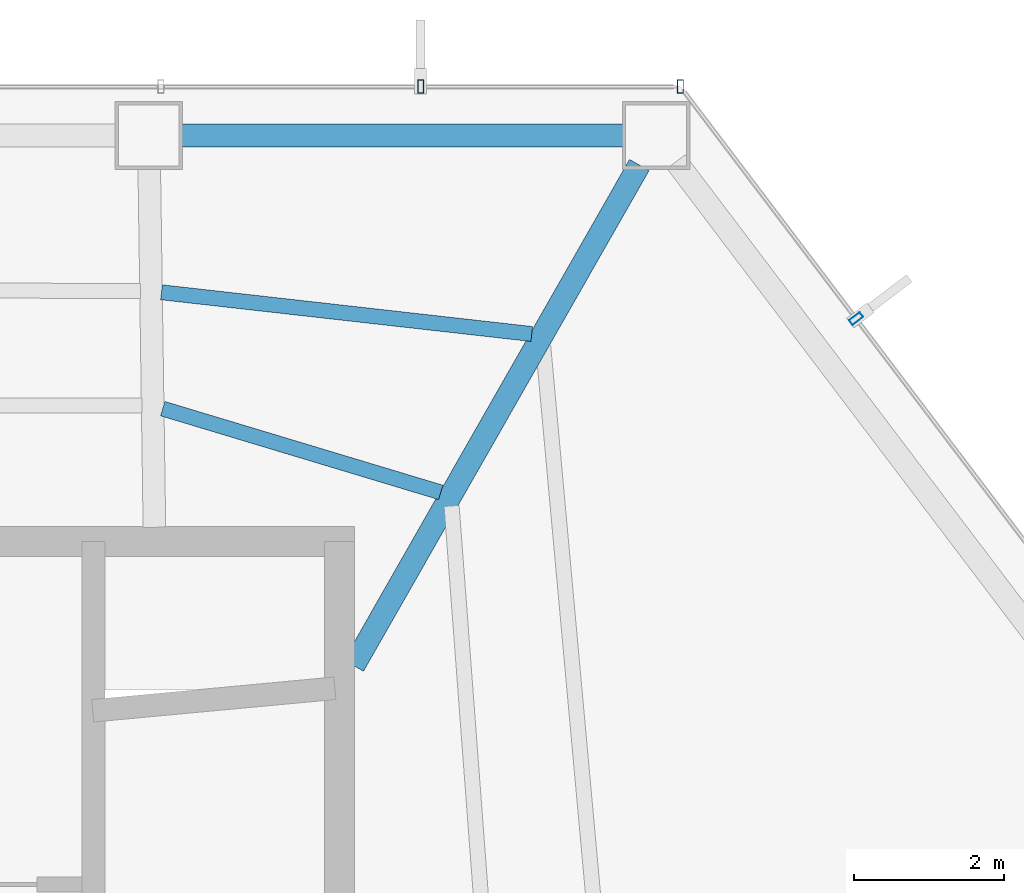
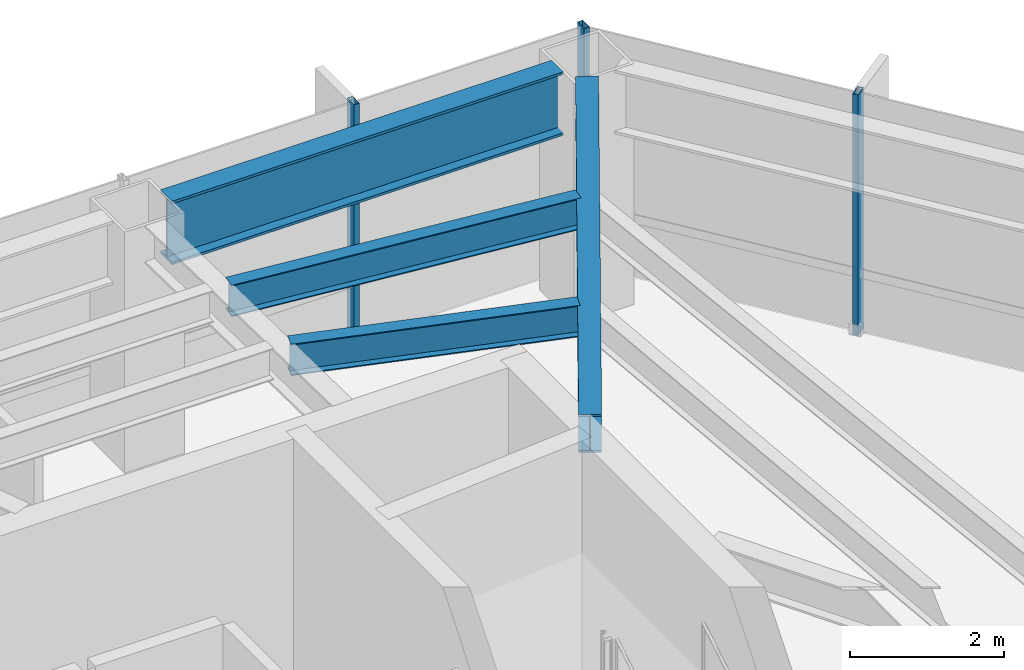
# One storey, part 18 of 24: 4 beams, 3 members, 2 elements without a shape of their own.
"""IFC4 building model written with IfcOpenShell, lengths in metres."""

from ifc_helpers import new_model, si_unit, direction, frame, origin, origin_2d, place, context, subcontext, project, spatial, hollow_rectangle, i_section, extrude, material, layer, layer_set, material_profile, profile_set, type_object, element, aggregate, save


model = new_model("IFC4")

# Units and contexts
model_context = context("Model", 3, precision=1e-05, world=origin(), true_north=direction((0.0, 1.0)))
body_context = subcontext(model_context, "Body", "Model", "MODEL_VIEW")
ifc_project = project(units=[si_unit("LENGTHUNIT", "METRE"), si_unit("AREAUNIT", "SQUARE_METRE"), si_unit("VOLUMEUNIT", "CUBIC_METRE"), si_unit("PLANEANGLEUNIT", "RADIAN"), si_unit("MASSUNIT", "GRAM", prefix="KILO")], contexts=[model_context])

# Site, building, storey
site_placement = place(None, origin())
site = spatial("IfcSite", under=ifc_project, at=site_placement, CompositionType="ELEMENT")
building_placement = place(site_placement, origin())
building = spatial("IfcBuilding", under=site, at=building_placement, Name="Zarrinselat Tower", CompositionType="ELEMENT")
storey_placement = place(building_placement, frame((0.0, 0.0, 100.97998046875)))
storey = spatial("IfcBuildingStorey", under=building, at=storey_placement, Name="L24", CompositionType="ELEMENT", Elevation=100.97998046875)

# Beams
ifc_material_1 = material(Name="Steel S355J2", Category="steel")
ifc_material_profile_1 = material_profile(ifc_material_1, i_section(OverallWidth=0.300048828125, OverallDepth=0.60009765625, WebThickness=0.015380859375, FlangeThickness=0.030029296875, at=origin_2d()), Name="HEB 600")
ifc_profile_set_1 = profile_set([ifc_material_profile_1], Name="Steel S355J2")
beam_type_1 = type_object("IfcBeamType", Name="BM-HEB600", PredefinedType="BEAM", material=ifc_profile_set_1)
beam_1_placement = place(storey_placement, frame((48.449951171875, 41.800048828125, 3.52001953125), z_axis=(0.495483591923, 0.868617297856, 0.0), x_axis=(-0.868617297856, 0.495483591923, 0.0)))
element("IfcBeam", 1, at=beam_1_placement, inside=storey, type_object=beam_type_1, Name="L24 Radial Primary Girder RG01", PredefinedType="BEAM", context=body_context, shape_type="SweptSolid", body=[
    extrude(i_section(OverallWidth=0.300048828125, OverallDepth=0.60009765625, WebThickness=0.015380859375, FlangeThickness=0.030029296875, at=origin_2d()), origin(), (0.0, 0.0, 1.0), 7.66455078125),
])
ifc_material_2 = material(Name="Steel S460M", Category="steel")
ifc_material_profile_2 = material_profile(ifc_material_2, i_section(OverallWidth=0.302001953125, OverallDepth=1.008056640625, WebThickness=0.02099609375, FlangeThickness=0.0400390625, at=origin_2d()), Name="HEM 1000")
ifc_profile_set_2 = profile_set([ifc_material_profile_2], Name="Steel S460M")
beam_type_2 = type_object("IfcBeamType", Name="BM-HEM1000", PredefinedType="BEAM", material=ifc_profile_set_2)
beam_2_placement = place(storey_placement, frame((46.163330078125, 48.85009765625, 3.31591796875), z_axis=(1.0, 0.0, 0.0), x_axis=(0.0, 1.0, 0.0)))
element("IfcBeam", 2, at=beam_2_placement, inside=storey, type_object=beam_type_2, Name="L24 Perimeter Spandrel Girder SP01", PredefinedType="BEAM", context=body_context, shape_type="SweptSolid", body=[
    extrude(i_section(OverallWidth=0.302001953125, OverallDepth=1.008056640625, WebThickness=0.02099609375, FlangeThickness=0.0400390625, at=origin_2d()), origin(), (0.0, 0.0, 1.0), 5.8701171875),
])
ifc_material_3 = material(Name="Steel S355J2", Category="steel")
ifc_material_profile_3 = material_profile(ifc_material_3, i_section(OverallWidth=0.199951171875, OverallDepth=0.5, WebThickness=0.01025390625, FlangeThickness=0.01611328125, at=origin_2d()), Name="IPE 500")
ifc_profile_set_3 = profile_set([ifc_material_profile_3], Name="Steel S355J2")
beam_type_3 = type_object("IfcBeamType", Name="BM-IPE500", PredefinedType="JOIST", material=ifc_profile_set_3)
beam_3_placement = place(storey_placement, frame((45.89404296875, 46.7646484375, 3.570068359375), z_axis=(0.993706999259, -0.112010712091, 0.0), x_axis=(0.112010712091, 0.993706999259, 0.0)))
element("IfcBeam", 3, at=beam_3_placement, inside=storey, type_object=beam_type_3, Name="L24 Composite Floor Joist 6-1", PredefinedType="JOIST", context=body_context, shape_type="SweptSolid", body=[
    extrude(i_section(OverallWidth=0.199951171875, OverallDepth=0.5, WebThickness=0.01025390625, FlangeThickness=0.01611328125, at=origin_2d()), origin(), (0.0, 0.0, 1.0), 4.954345703125),
])
beam_4_placement = place(storey_placement, frame((45.910888671875, 45.21728515625, 3.570068359375), z_axis=(0.957512397505, -0.288392109156, 0.0), x_axis=(0.288392109156, 0.957512397505, 0.0)))
element("IfcBeam", 4, at=beam_4_placement, inside=storey, type_object=beam_type_3, Name="L24 Composite Floor Joist 6-2", PredefinedType="JOIST", context=body_context, shape_type="SweptSolid", body=[
    extrude(i_section(OverallWidth=0.199951171875, OverallDepth=0.5, WebThickness=0.01025390625, FlangeThickness=0.01611328125, at=origin_2d()), origin(), (0.0, 0.0, 1.0), 3.8603515625),
])

# Curtain wall, members
ifc_material_4 = material(Name="Extruded Aluminium Alloy EN AW-6063 T6", Category="aluminium")
ifc_layer = layer(ifc_material_4, 0.18505859375)
ifc_layer_set = layer_set([ifc_layer], Name="Extruded Aluminium Alloy EN AW-6063 T6")
curtain_wall_type = type_object("IfcCurtainWallType", Name="CWS-OFF", PredefinedType="NOTDEFINED", material=ifc_layer_set)
curtain_wall_1_placement = place(storey_placement, origin())
curtain_wall_1 = element("IfcCurtainWall", 5, at=curtain_wall_1_placement, inside=storey, type_object=curtain_wall_type, Name="L24 Unitised Curtain Wall CW-L24-E01", PredefinedType="NOTDEFINED")
ifc_material_5 = material(Name="Extruded Aluminium Alloy EN AW-6063 T6", Category="aluminium")
ifc_material_profile_4 = material_profile(ifc_material_5, hollow_rectangle(XDim=0.080078125, YDim=0.179931640625, WallThickness=0.0048828125, at=origin_2d()), Name="RHS 180x80x5")
ifc_profile_set_4 = profile_set([ifc_material_profile_4], Name="Extruded Aluminium Alloy EN AW-6063 T6")
member_type = type_object("IfcMemberType", Name="MEM-CW-MUL", PredefinedType="MULLION", material=ifc_profile_set_4)
member_1_placement = place(storey_placement, frame((52.79443359375, 49.5, 0.0), z_axis=(0.0, 0.0, 1.0), x_axis=(-1.0, 0.0, 0.0)))
member_1 = element("IfcMember", 6, at=member_1_placement, type_object=member_type, Name="CW-L24-E01 Mullion 0", PredefinedType="MULLION", context=body_context, shape_type="SweptSolid", body=[
    extrude(hollow_rectangle(XDim=0.080078125, YDim=0.179931640625, WallThickness=0.0048828125, at=origin_2d()), origin(), (0.0, 0.0, 1.0), 3.820068359375),
])
member_2_placement = place(storey_placement, frame((49.340576171875, 49.5, 0.0), z_axis=(0.0, 0.0, 1.0), x_axis=(-1.0, 0.0, 0.0)))
member_2 = element("IfcMember", 7, at=member_2_placement, type_object=member_type, Name="CW-L24-E01 Mullion 1", PredefinedType="MULLION", context=body_context, shape_type="SweptSolid", body=[
    extrude(hollow_rectangle(XDim=0.080078125, YDim=0.179931640625, WallThickness=0.0048828125, at=origin_2d()), origin(), (0.0, 0.0, 1.0), 3.820068359375),
])
aggregate(curtain_wall_1, [member_1, member_2])

# Curtain wall, member
curtain_wall_2_placement = place(storey_placement, origin())
curtain_wall_2 = element("IfcCurtainWall", 8, at=curtain_wall_2_placement, inside=storey, type_object=curtain_wall_type, Name="L24 Unitised Curtain Wall CW-L24-E06", PredefinedType="NOTDEFINED")
member_3_placement = place(storey_placement, frame((55.131591796875, 46.4150390625, 0.0), z_axis=(0.0, 0.0, 1.0), x_axis=(-0.6038584342, 0.797091582847, 0.0)))
member_3 = element("IfcMember", 9, at=member_3_placement, type_object=member_type, Name="CW-L24-E06 Mullion 3", PredefinedType="MULLION", context=body_context, shape_type="SweptSolid", body=[
    extrude(hollow_rectangle(XDim=0.080078125, YDim=0.179931640625, WallThickness=0.0048828125, at=origin_2d()), origin(), (0.0, 0.0, 1.0), 3.820068359375),
])
aggregate(curtain_wall_2, [member_3])

save(model, "model.ifc")
